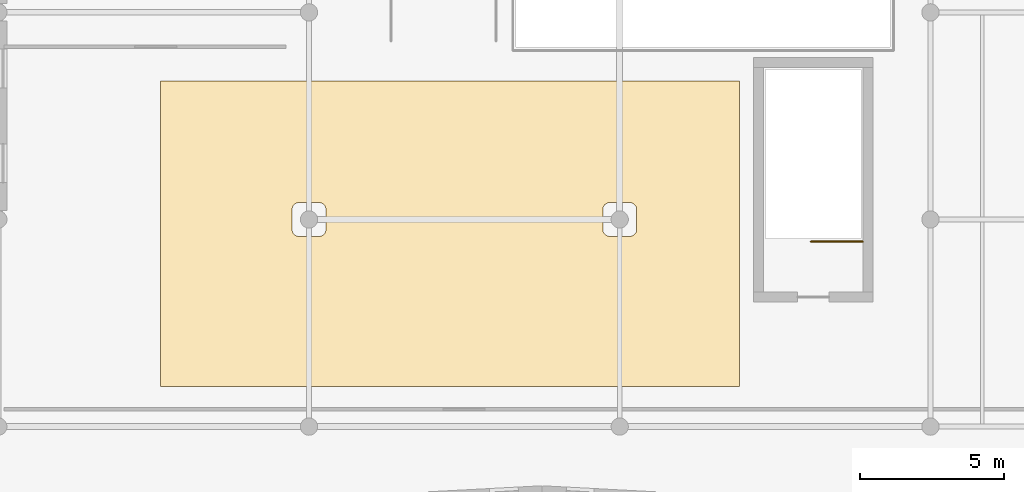
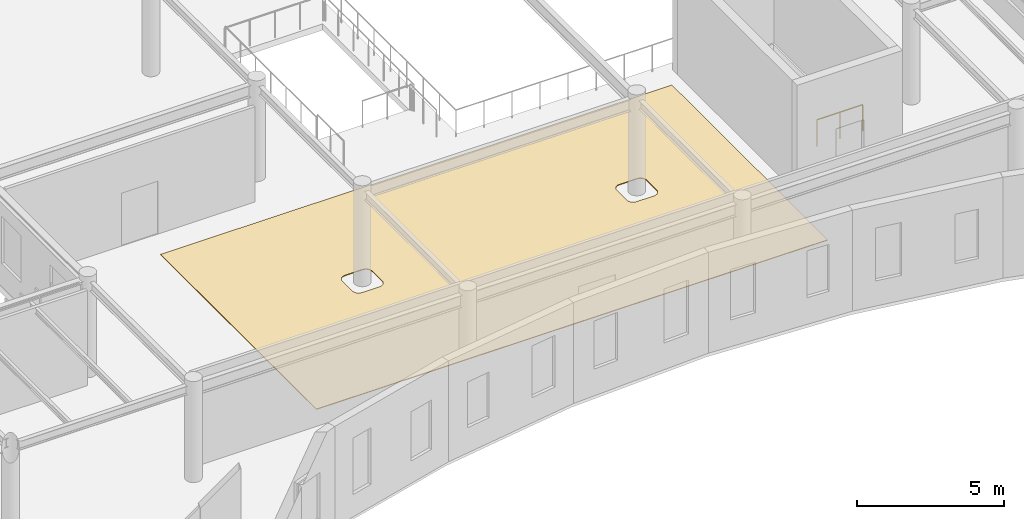
# One storey, part 93 of 104: 1 covering, 1 railing.
"""IFC4 building model written with IfcOpenShell, lengths in metres."""

from ifc_helpers import new_model, si_unit, direction, frame, origin, origin_2d, place, context, subcontext, project, spatial, polyline, circle, outline, extrude, material, layer, layer_set, material_profile, profile_set, type_object, element, save


model = new_model("IFC4")

# Units and contexts
model_context = context("Model", 3, precision=1e-05, world=origin(), true_north=direction((0.0, 1.0)))
body_context = subcontext(model_context, "Body", "Model", "MODEL_VIEW")
ifc_project = project(units=[si_unit("LENGTHUNIT", "METRE"), si_unit("AREAUNIT", "SQUARE_METRE"), si_unit("VOLUMEUNIT", "CUBIC_METRE"), si_unit("PLANEANGLEUNIT", "RADIAN"), si_unit("MASSUNIT", "GRAM", prefix="KILO")], contexts=[model_context])

# Site, building, storey
site_placement = place(None, origin())
site = spatial("IfcSite", under=ifc_project, at=site_placement, CompositionType="ELEMENT")
building_placement = place(site_placement, origin())
building = spatial("IfcBuilding", under=site, at=building_placement, Name="Tazoul Stagehouse", CompositionType="ELEMENT")
storey_placement = place(building_placement, frame((0.0, 0.0, 9.0)))
storey = spatial("IfcBuildingStorey", under=building, at=storey_placement, Name="L02", CompositionType="ELEMENT", Elevation=9.0)

# Railing
ifc_material_1 = material(Name="Brushed Stainless Steel 316L", Category="steel")
ifc_material_profile = material_profile(ifc_material_1, circle(Radius=0.02392578125, at=origin_2d()), Name="SS RAIL D48")
ifc_profile_set = profile_set([ifc_material_profile], Name="Brushed Stainless Steel 316L")
railing_type = type_object("IfcRailingType", Name="Architectural Guardrail H1120", PredefinedType="GUARDRAIL", material=ifc_profile_set)
railing_placement = place(storey_placement, frame((87.64990234375, 29.429931640625, 0.0)))
element("IfcRailing", 1, at=railing_placement, inside=storey, type_object=railing_type, Name="L02 ST-08 top well guard 1", PredefinedType="GUARDRAIL", context=body_context, shape_type="SweptSolid", body=[
    extrude(circle(Radius=0.02392578125, at=origin_2d()), frame((0.0, 0.0, 1.09619140625), z_axis=(-1.0, 0.0, 0.0), x_axis=(0.0, -1.0, 0.0)), (0.0, 0.0, 1.0), 1.7998046875),
    extrude(circle(Radius=0.02099609375, at=origin_2d()), origin(), (0.0, 0.0, 1.0), 1.072021484375),
    extrude(circle(Radius=0.02099609375, at=origin_2d()), frame((-0.89990234375, 0.0, 0.0)), (0.0, 0.0, 1.0), 1.072021484375),
    extrude(circle(Radius=0.02099609375, at=origin_2d()), frame((-1.7998046875, 0.0, 0.0)), (0.0, 0.0, 1.0), 1.072021484375),
])

# Covering
ifc_material_2 = material(Name="Honed Rabat Calcarenite Stone", Category="masonry")
ifc_layer = layer(ifc_material_2, 0.030029296875, Name="Honed Rabat Calcarenite Stone")
ifc_layer_set = layer_set([ifc_layer], Name="Honed Rabat Calcarenite Stone")
covering_type = type_object("IfcCoveringType", Name="Honed Rabat Limestone Foyer Flooring 30", PredefinedType="FLOORING", material=ifc_layer_set)
covering_placement = place(storey_placement, origin())
element("IfcCovering", 2, at=covering_placement, inside=storey, type_object=covering_type, Name="L02 L02 Upper Circle Foyer Circulation Flooring", PredefinedType="FLOORING", context=body_context, shape_type="SweptSolid", body=[
    extrude(outline(polyline([(83.360107421875, 35.010009765625), (83.360107421875, 24.389892578125), (63.239990234375, 24.389892578125), (63.239990234375, 35.010009765625), (83.360107421875, 35.010009765625)]), holes=[polyline([(79.788818359375, 30.564453125), (79.78515625, 30.5888671875), (79.779296875, 30.612548828125), (79.77099609375, 30.6357421875), (79.760498046875, 30.65771484375), (79.747802734375, 30.678955078125), (79.7333984375, 30.698486328125), (79.716796875, 30.716796875), (79.698486328125, 30.7333984375), (79.678955078125, 30.747802734375), (79.65771484375, 30.760498046875), (79.6357421875, 30.77099609375), (79.612548828125, 30.779296875), (79.5888671875, 30.78515625), (79.564453125, 30.788818359375), (79.5400390625, 30.7900390625), (78.860107421875, 30.7900390625), (78.83544921875, 30.788818359375), (78.811279296875, 30.78515625), (78.787353515625, 30.779296875), (78.764404296875, 30.77099609375), (78.7421875, 30.760498046875), (78.72119140625, 30.747802734375), (78.701416015625, 30.7333984375), (78.68310546875, 30.716796875), (78.666748046875, 30.698486328125), (78.652099609375, 30.678955078125), (78.639404296875, 30.65771484375), (78.62890625, 30.6357421875), (78.620849609375, 30.612548828125), (78.61474609375, 30.5888671875), (78.611083984375, 30.564453125), (78.610107421875, 30.5400390625), (78.610107421875, 29.860107421875), (78.611083984375, 29.83544921875), (78.61474609375, 29.811279296875), (78.620849609375, 29.787353515625), (78.62890625, 29.764404296875), (78.639404296875, 29.7421875), (78.652099609375, 29.72119140625), (78.666748046875, 29.701416015625), (78.68310546875, 29.68310546875), (78.701416015625, 29.666748046875), (78.72119140625, 29.652099609375), (78.7421875, 29.639404296875), (78.764404296875, 29.62890625), (78.787353515625, 29.620849609375), (78.811279296875, 29.61474609375), (78.83544921875, 29.611083984375), (78.860107421875, 29.610107421875), (79.5400390625, 29.610107421875), (79.564453125, 29.611083984375), (79.5888671875, 29.61474609375), (79.612548828125, 29.620849609375), (79.6357421875, 29.62890625), (79.65771484375, 29.639404296875), (79.678955078125, 29.652099609375), (79.698486328125, 29.666748046875), (79.716796875, 29.68310546875), (79.7333984375, 29.701416015625), (79.747802734375, 29.72119140625), (79.760498046875, 29.7421875), (79.77099609375, 29.764404296875), (79.779296875, 29.787353515625), (79.78515625, 29.811279296875), (79.788818359375, 29.83544921875), (79.7900390625, 29.860107421875), (79.7900390625, 30.5400390625), (79.788818359375, 30.564453125)]), polyline([(68.98876953125, 30.564453125), (68.985107421875, 30.5888671875), (68.979248046875, 30.612548828125), (68.970947265625, 30.6357421875), (68.96044921875, 30.65771484375), (68.947998046875, 30.678955078125), (68.933349609375, 30.698486328125), (68.916748046875, 30.716796875), (68.898681640625, 30.7333984375), (68.87890625, 30.747802734375), (68.85791015625, 30.760498046875), (68.835693359375, 30.77099609375), (68.8125, 30.779296875), (68.788818359375, 30.78515625), (68.764404296875, 30.788818359375), (68.739990234375, 30.7900390625), (68.06005859375, 30.7900390625), (68.035400390625, 30.788818359375), (68.01123046875, 30.78515625), (67.9873046875, 30.779296875), (67.96435546875, 30.77099609375), (67.942138671875, 30.760498046875), (67.921142578125, 30.747802734375), (67.9013671875, 30.7333984375), (67.88330078125, 30.716796875), (67.86669921875, 30.698486328125), (67.85205078125, 30.678955078125), (67.839599609375, 30.65771484375), (67.8291015625, 30.6357421875), (67.82080078125, 30.612548828125), (67.814697265625, 30.5888671875), (67.811279296875, 30.564453125), (67.81005859375, 30.5400390625), (67.81005859375, 29.860107421875), (67.811279296875, 29.83544921875), (67.814697265625, 29.811279296875), (67.82080078125, 29.787353515625), (67.8291015625, 29.764404296875), (67.839599609375, 29.7421875), (67.85205078125, 29.72119140625), (67.86669921875, 29.701416015625), (67.88330078125, 29.68310546875), (67.9013671875, 29.666748046875), (67.921142578125, 29.652099609375), (67.942138671875, 29.639404296875), (67.96435546875, 29.62890625), (67.9873046875, 29.620849609375), (68.01123046875, 29.61474609375), (68.035400390625, 29.611083984375), (68.06005859375, 29.610107421875), (68.739990234375, 29.610107421875), (68.764404296875, 29.611083984375), (68.788818359375, 29.61474609375), (68.8125, 29.620849609375), (68.835693359375, 29.62890625), (68.85791015625, 29.639404296875), (68.87890625, 29.652099609375), (68.898681640625, 29.666748046875), (68.916748046875, 29.68310546875), (68.933349609375, 29.701416015625), (68.947998046875, 29.72119140625), (68.96044921875, 29.7421875), (68.970947265625, 29.764404296875), (68.979248046875, 29.787353515625), (68.985107421875, 29.811279296875), (68.98876953125, 29.83544921875), (68.989990234375, 29.860107421875), (68.989990234375, 30.5400390625), (68.98876953125, 30.564453125)])]), origin(), (0.0, 0.0, 1.0), 0.030029296875),
])

save(model, "model.ifc")
